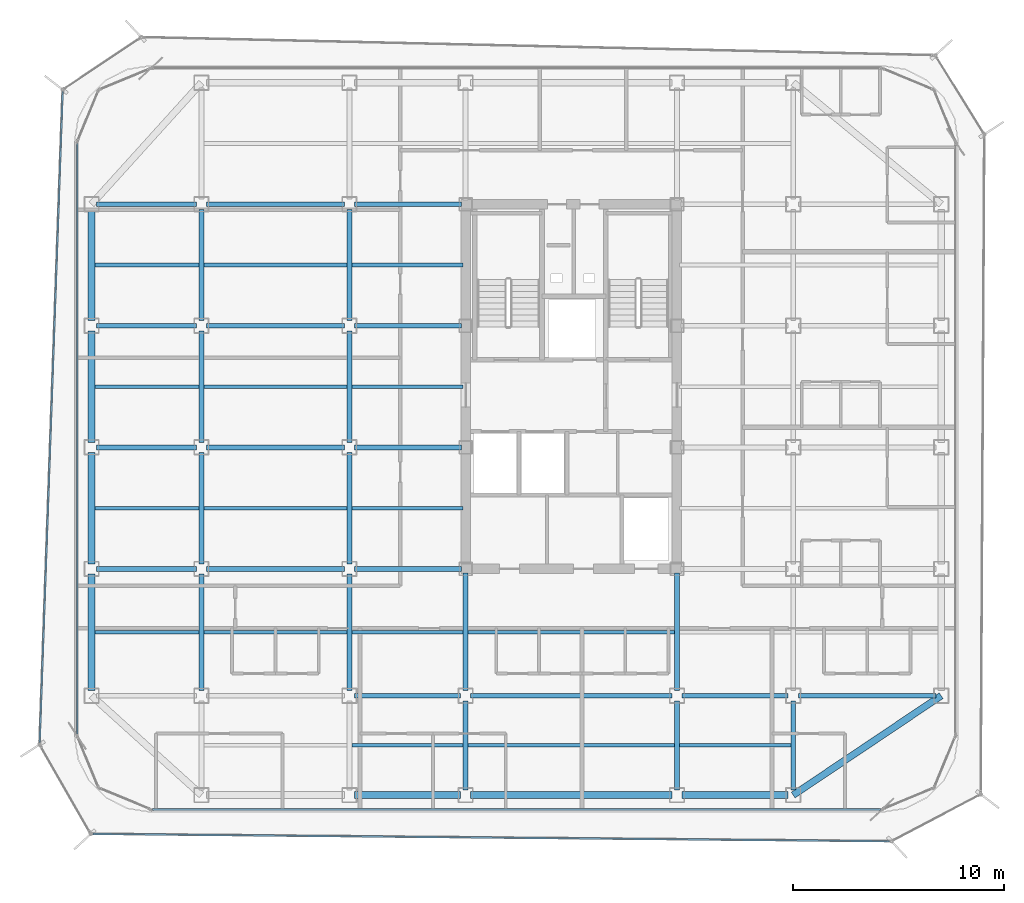
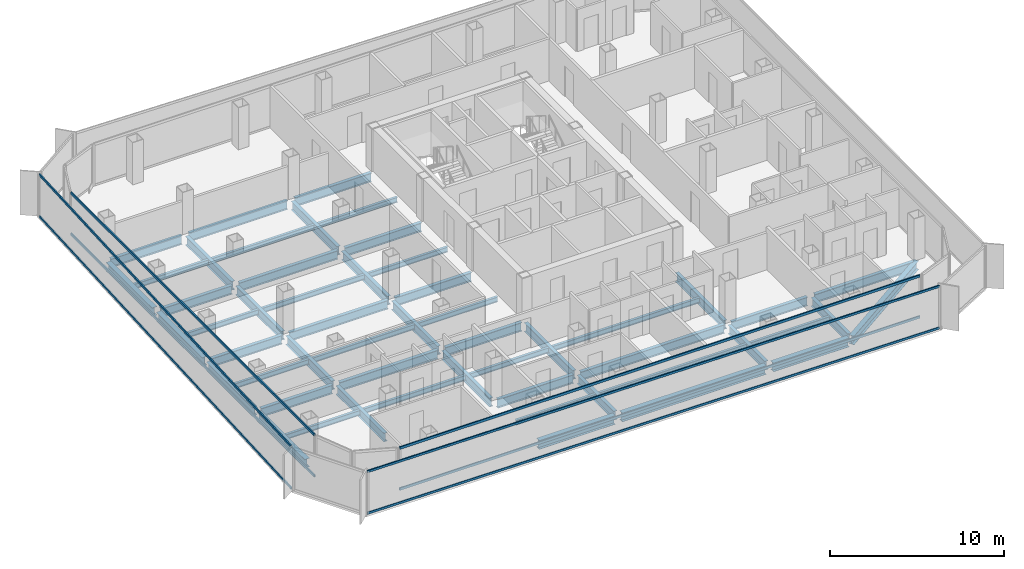
# One storey, part 3 of 16: 53 beams, 8 members, 4 elements without a shape of their own.
"""IFC4 building model written with IfcOpenShell, lengths in metres."""

from ifc_helpers import new_model, si_unit, direction, frame, origin, origin_2d, place, context, subcontext, project, spatial, hollow_rectangle, i_section, extrude, source, transform, mapped, material, layer, layer_set, material_profile, profile_set, type_object, element, aggregate, save


model = new_model("IFC4")

# Units and contexts
model_context = context("Model", 3, precision=1e-05, world=origin(), true_north=direction((0.0, 1.0)))
body_context = subcontext(model_context, "Body", "Model", "MODEL_VIEW")
ifc_project = project(units=[si_unit("LENGTHUNIT", "METRE"), si_unit("AREAUNIT", "SQUARE_METRE"), si_unit("VOLUMEUNIT", "CUBIC_METRE"), si_unit("PLANEANGLEUNIT", "RADIAN"), si_unit("MASSUNIT", "GRAM", prefix="KILO")], contexts=[model_context])

# Site, building, storey
site_placement = place(None, origin())
site = spatial("IfcSite", under=ifc_project, at=site_placement, CompositionType="ELEMENT")
building_placement = place(site_placement, origin())
building = spatial("IfcBuilding", under=site, at=building_placement, Name="Kolveth Station Tower", CompositionType="ELEMENT")
storey_placement = place(building_placement, frame((0.0, 0.0, 178.5)))
storey = spatial("IfcBuildingStorey", under=building, at=storey_placement, Name="L50", CompositionType="ELEMENT", Elevation=178.5)

# Beams
ifc_material_1 = material(Name="Steel S355", Category="steel")
ifc_material_profile_1 = material_profile(ifc_material_1, i_section(OverallWidth=0.323974609375, OverallDepth=0.611083984375, WebThickness=0.0126953125, FlangeThickness=0.01904296875, at=origin_2d()), Name="W610x155")
ifc_profile_set_1 = profile_set([ifc_material_profile_1], Name="Steel S355")
beam_type_1 = type_object("IfcBeamType", Name="Beam_SP2", PredefinedType="SPANDREL", material=ifc_profile_set_1)
shared_shape_1 = source(origin(), body_context, "Body", "SweptSolid", [
    extrude(i_section(OverallWidth=0.323974609375, OverallDepth=0.611083984375, WebThickness=0.0126953125, FlangeThickness=0.01904296875, at=origin_2d()), origin(), (0.0, 0.0, 1.0), 5.02001953125),
])
for number, where, z_axis, x_axis, name in (
    (1, (13.239990234375, 0.800048828125, -0.555419921875), (1.0, 0.0, 0.0), (0.0, 1.0, 0.0), "L50 Perimeter Spandrel BM-L50-PS-2"),
    (2, (28.739990234375, 0.800048828125, -0.555419921875), (1.0, 0.0, 0.0), (0.0, 1.0, 0.0), "L50 Perimeter Spandrel BM-L50-PS-4"),
):
    element("IfcBeam", number, at=place(storey_placement, frame(where, z_axis=z_axis, x_axis=x_axis)), inside=storey, type_object=beam_type_1, Name=name, PredefinedType="SPANDREL", context=body_context, shape_type="MappedRepresentation", body=[
        mapped(shared_shape_1, transform((0.0, 0.0, 0.0), x_axis=(1.0, 0.0, 0.0), y_axis=(0.0, 1.0, 0.0), z_axis=(0.0, 0.0, 1.0), scale=1.0)),
    ])
shared_shape_2 = source(origin(), body_context, "Body", "SweptSolid", [
    extrude(i_section(OverallWidth=0.323974609375, OverallDepth=0.611083984375, WebThickness=0.0126953125, FlangeThickness=0.01904296875, at=origin_2d()), origin(), (0.0, 0.0, 1.0), 9.52001953125),
])
beam_1_placement = place(storey_placement, frame((18.739990234375, 0.800048828125, -0.555419921875), z_axis=(1.0, 0.0, 0.0), x_axis=(0.0, 1.0, 0.0)))
element("IfcBeam", 3, at=beam_1_placement, inside=storey, type_object=beam_type_1, Name="L50 Perimeter Spandrel BM-L50-PS-3", PredefinedType="SPANDREL", context=body_context, shape_type="MappedRepresentation", body=[
    mapped(shared_shape_2, transform((0.0, 0.0, 0.0), x_axis=(1.0, 0.0, 0.0), y_axis=(0.0, 1.0, 0.0), z_axis=(0.0, 0.0, 1.0), scale=1.0)),
])
shared_shape_3 = source(origin(), body_context, "Body", "SweptSolid", [
    extrude(i_section(OverallWidth=0.323974609375, OverallDepth=0.611083984375, WebThickness=0.0126953125, FlangeThickness=0.01904296875, at=origin_2d()), origin(), (0.0, 0.0, 1.0), 5.52001953125),
])
beam_2_placement = place(storey_placement, frame((0.800048828125, 5.739990234375, -0.555419921875), z_axis=(0.0, 1.0, 0.0), x_axis=(-1.0, 0.0, 0.0)))
element("IfcBeam", 4, at=beam_2_placement, inside=storey, type_object=beam_type_1, Name="L50 Perimeter Spandrel BM-L50-PW-1", PredefinedType="SPANDREL", context=body_context, shape_type="MappedRepresentation", body=[
    mapped(shared_shape_3, transform((0.0, 0.0, 0.0), x_axis=(1.0, 0.0, 0.0), y_axis=(0.0, 1.0, 0.0), z_axis=(0.0, 0.0, 1.0), scale=1.0)),
])
shared_shape_4 = source(origin(), body_context, "Body", "SweptSolid", [
    extrude(i_section(OverallWidth=0.323974609375, OverallDepth=0.611083984375, WebThickness=0.0126953125, FlangeThickness=0.01904296875, at=origin_2d()), origin(), (0.0, 0.0, 1.0), 5.27001953125),
])
for number, where, z_axis, x_axis, name in (
    (5, (0.800048828125, 11.739990234375, -0.555419921875), (0.0, 1.0, 0.0), (-1.0, 0.0, 0.0), "L50 Perimeter Spandrel BM-L50-PW-2"),
    (6, (0.800048828125, 17.489990234375, -0.555419921875), (0.0, 1.0, 0.0), (-1.0, 0.0, 0.0), "L50 Perimeter Spandrel BM-L50-PW-3"),
    (7, (0.800048828125, 23.239990234375, -0.555419921875), (0.0, 1.0, 0.0), (-1.0, 0.0, 0.0), "L50 Perimeter Spandrel BM-L50-PW-4"),
):
    element("IfcBeam", number, at=place(storey_placement, frame(where, z_axis=z_axis, x_axis=x_axis)), inside=storey, type_object=beam_type_1, Name=name, PredefinedType="SPANDREL", context=body_context, shape_type="MappedRepresentation", body=[
        mapped(shared_shape_4, transform((0.0, 0.0, 0.0), x_axis=(1.0, 0.0, 0.0), y_axis=(0.0, 1.0, 0.0), z_axis=(0.0, 0.0, 1.0), scale=1.0)),
    ])
shared_shape_5 = source(origin(), body_context, "Body", "SweptSolid", [
    extrude(i_section(OverallWidth=0.323974609375, OverallDepth=0.611083984375, WebThickness=0.0126953125, FlangeThickness=0.01904296875, at=origin_2d()), origin(), (0.0, 0.0, 1.0), 8.431396484375),
])
beam_3_placement = place(storey_placement, frame((34.0, 0.800048828125, -0.555419921875), z_axis=(0.830223811004, 0.557430196206, 0.0), x_axis=(-0.557430196206, 0.830223811004, 0.0)))
element("IfcBeam", 8, at=beam_3_placement, inside=storey, type_object=beam_type_1, Name="L50 Corner Edge Girder BM-L50-CNR-SE", PredefinedType="SPANDREL", context=body_context, shape_type="MappedRepresentation", body=[
    mapped(shared_shape_5, transform((0.0, 0.0, 0.0), x_axis=(1.0, 0.0, 0.0), y_axis=(0.0, 1.0, 0.0), z_axis=(0.0, 0.0, 1.0), scale=1.0)),
])
ifc_material_profile_2 = material_profile(ifc_material_1, i_section(OverallWidth=0.22900390625, OverallDepth=0.612060546875, WebThickness=0.011962890625, FlangeThickness=0.01953125, at=origin_2d()), Name="W610x125")
ifc_profile_set_2 = profile_set([ifc_material_profile_2], Name="Steel S355")
beam_type_2 = type_object("IfcBeamType", Name="Beam_B5", PredefinedType="BEAM", material=ifc_profile_set_2)
shared_shape_6 = source(origin(), body_context, "Body", "SweptSolid", [
    extrude(i_section(OverallWidth=0.22900390625, OverallDepth=0.612060546875, WebThickness=0.011962890625, FlangeThickness=0.01953125, at=origin_2d()), origin(), (0.0, 0.0, 1.0), 4.719970703125),
])
for number, where, z_axis, x_axis, name in (
    (9, (1.0400390625, 11.5, -0.555908203125), (1.0, 0.0, 0.0), (0.0, 1.0, 0.0), "L50 Primary Girder BM-L50-GY115-1"),
    (10, (1.0400390625, 17.25, -0.555908203125), (1.0, 0.0, 0.0), (0.0, 1.0, 0.0), "L50 Primary Girder BM-L50-GY172-1"),
    (11, (1.0400390625, 23.0, -0.555908203125), (1.0, 0.0, 0.0), (0.0, 1.0, 0.0), "L50 Primary Girder BM-L50-GY230-1"),
    (12, (1.0400390625, 28.75, -0.555908203125), (1.0, 0.0, 0.0), (0.0, 1.0, 0.0), "L50 Primary Girder BM-L50-GY287-1"),
):
    element("IfcBeam", number, at=place(storey_placement, frame(where, z_axis=z_axis, x_axis=x_axis)), inside=storey, type_object=beam_type_2, Name=name, PredefinedType="BEAM", context=body_context, shape_type="MappedRepresentation", body=[
        mapped(shared_shape_6, transform((0.0, 0.0, 0.0), x_axis=(1.0, 0.0, 0.0), y_axis=(0.0, 1.0, 0.0), z_axis=(0.0, 0.0, 1.0), scale=1.0)),
    ])
shared_shape_7 = source(origin(), body_context, "Body", "SweptSolid", [
    extrude(i_section(OverallWidth=0.22900390625, OverallDepth=0.612060546875, WebThickness=0.011962890625, FlangeThickness=0.01953125, at=origin_2d()), origin(), (0.0, 0.0, 1.0), 6.52001953125),
])
for number, where, z_axis, x_axis, name in (
    (13, (34.239990234375, 5.5, -0.555908203125), (1.0, 0.0, 0.0), (0.0, 1.0, 0.0), "L50 Primary Girder BM-L50-GY55-6"),
    (14, (6.239990234375, 11.5, -0.555908203125), (1.0, 0.0, 0.0), (0.0, 1.0, 0.0), "L50 Primary Girder BM-L50-GY115-2"),
    (15, (6.239990234375, 17.25, -0.555908203125), (1.0, 0.0, 0.0), (0.0, 1.0, 0.0), "L50 Primary Girder BM-L50-GY172-2"),
    (16, (6.239990234375, 23.0, -0.555908203125), (1.0, 0.0, 0.0), (0.0, 1.0, 0.0), "L50 Primary Girder BM-L50-GY230-2"),
    (17, (6.239990234375, 28.75, -0.555908203125), (1.0, 0.0, 0.0), (0.0, 1.0, 0.0), "L50 Primary Girder BM-L50-GY287-2"),
):
    element("IfcBeam", number, at=place(storey_placement, frame(where, z_axis=z_axis, x_axis=x_axis)), inside=storey, type_object=beam_type_2, Name=name, PredefinedType="BEAM", context=body_context, shape_type="MappedRepresentation", body=[
        mapped(shared_shape_7, transform((0.0, 0.0, 0.0), x_axis=(1.0, 0.0, 0.0), y_axis=(0.0, 1.0, 0.0), z_axis=(0.0, 0.0, 1.0), scale=1.0)),
    ])
shared_shape_8 = source(origin(), body_context, "Body", "SweptSolid", [
    extrude(i_section(OverallWidth=0.22900390625, OverallDepth=0.612060546875, WebThickness=0.011962890625, FlangeThickness=0.01953125, at=origin_2d()), origin(), (0.0, 0.0, 1.0), 5.02001953125),
])
for number, where, z_axis, x_axis, name in (
    (18, (13.239990234375, 5.5, -0.555908203125), (1.0, 0.0, 0.0), (0.0, 1.0, 0.0), "L50 Primary Girder BM-L50-GY55-3"),
    (19, (28.739990234375, 5.5, -0.555908203125), (1.0, 0.0, 0.0), (0.0, 1.0, 0.0), "L50 Primary Girder BM-L50-GY55-5"),
):
    element("IfcBeam", number, at=place(storey_placement, frame(where, z_axis=z_axis, x_axis=x_axis)), inside=storey, type_object=beam_type_2, Name=name, PredefinedType="BEAM", context=body_context, shape_type="MappedRepresentation", body=[
        mapped(shared_shape_8, transform((0.0, 0.0, 0.0), x_axis=(1.0, 0.0, 0.0), y_axis=(0.0, 1.0, 0.0), z_axis=(0.0, 0.0, 1.0), scale=1.0)),
    ])
shared_shape_9 = source(origin(), body_context, "Body", "SweptSolid", [
    extrude(i_section(OverallWidth=0.22900390625, OverallDepth=0.612060546875, WebThickness=0.011962890625, FlangeThickness=0.01953125, at=origin_2d()), origin(), (0.0, 0.0, 1.0), 9.52001953125),
])
beam_4_placement = place(storey_placement, frame((18.739990234375, 5.5, -0.555908203125), z_axis=(1.0, 0.0, 0.0), x_axis=(0.0, 1.0, 0.0)))
element("IfcBeam", 20, at=beam_4_placement, inside=storey, type_object=beam_type_2, Name="L50 Primary Girder BM-L50-GY55-4", PredefinedType="BEAM", context=body_context, shape_type="MappedRepresentation", body=[
    mapped(shared_shape_9, transform((0.0, 0.0, 0.0), x_axis=(1.0, 0.0, 0.0), y_axis=(0.0, 1.0, 0.0), z_axis=(0.0, 0.0, 1.0), scale=1.0)),
])
shared_shape_10 = source(origin(), body_context, "Body", "SweptSolid", [
    extrude(i_section(OverallWidth=0.22900390625, OverallDepth=0.612060546875, WebThickness=0.011962890625, FlangeThickness=0.01953125, at=origin_2d()), origin(), (0.0, 0.0, 1.0), 5.06005859375),
])
for number, where, z_axis, x_axis, name in (
    (21, (13.239990234375, 11.5, -0.555908203125), (1.0, 0.0, 0.0), (0.0, 1.0, 0.0), "L50 Primary Girder BM-L50-GY115-3"),
    (22, (13.239990234375, 17.25, -0.555908203125), (1.0, 0.0, 0.0), (0.0, 1.0, 0.0), "L50 Primary Girder BM-L50-GY172-3"),
    (23, (13.239990234375, 23.0, -0.555908203125), (1.0, 0.0, 0.0), (0.0, 1.0, 0.0), "L50 Primary Girder BM-L50-GY230-3"),
    (24, (13.239990234375, 28.75, -0.555908203125), (1.0, 0.0, 0.0), (0.0, 1.0, 0.0), "L50 Primary Girder BM-L50-GY287-3"),
):
    element("IfcBeam", number, at=place(storey_placement, frame(where, z_axis=z_axis, x_axis=x_axis)), inside=storey, type_object=beam_type_2, Name=name, PredefinedType="BEAM", context=body_context, shape_type="MappedRepresentation", body=[
        mapped(shared_shape_10, transform((0.0, 0.0, 0.0), x_axis=(1.0, 0.0, 0.0), y_axis=(0.0, 1.0, 0.0), z_axis=(0.0, 0.0, 1.0), scale=1.0)),
    ])
shared_shape_11 = source(origin(), body_context, "Body", "SweptSolid", [
    extrude(i_section(OverallWidth=0.22900390625, OverallDepth=0.612060546875, WebThickness=0.011962890625, FlangeThickness=0.01953125, at=origin_2d()), origin(), (0.0, 0.0, 1.0), 4.219970703125),
])
for number, where, z_axis, x_axis, name in (
    (25, (18.5, 1.0400390625, -0.555908203125), (0.0, 1.0, 0.0), (-1.0, 0.0, 0.0), "L50 Primary Girder BM-L50-GX185-1"),
    (26, (28.5, 1.0400390625, -0.555908203125), (0.0, 1.0, 0.0), (-1.0, 0.0, 0.0), "L50 Primary Girder BM-L50-GX285-1"),
    (27, (34.0, 1.0400390625, -0.555908203125), (0.0, 1.0, 0.0), (-1.0, 0.0, 0.0), "L50 Primary Girder BM-L50-GX340-1"),
):
    element("IfcBeam", number, at=place(storey_placement, frame(where, z_axis=z_axis, x_axis=x_axis)), inside=storey, type_object=beam_type_2, Name=name, PredefinedType="BEAM", context=body_context, shape_type="MappedRepresentation", body=[
        mapped(shared_shape_11, transform((0.0, 0.0, 0.0), x_axis=(1.0, 0.0, 0.0), y_axis=(0.0, 1.0, 0.0), z_axis=(0.0, 0.0, 1.0), scale=1.0)),
    ])
shared_shape_12 = source(origin(), body_context, "Body", "SweptSolid", [
    extrude(i_section(OverallWidth=0.22900390625, OverallDepth=0.612060546875, WebThickness=0.011962890625, FlangeThickness=0.01953125, at=origin_2d()), origin(), (0.0, 0.0, 1.0), 5.52001953125),
])
for number, where, z_axis, x_axis, name in (
    (28, (6.0, 5.739990234375, -0.555908203125), (0.0, 1.0, 0.0), (-1.0, 0.0, 0.0), "L50 Primary Girder BM-L50-GX60-2"),
    (29, (13.0, 5.739990234375, -0.555908203125), (0.0, 1.0, 0.0), (-1.0, 0.0, 0.0), "L50 Primary Girder BM-L50-GX130-2"),
):
    element("IfcBeam", number, at=place(storey_placement, frame(where, z_axis=z_axis, x_axis=x_axis)), inside=storey, type_object=beam_type_2, Name=name, PredefinedType="BEAM", context=body_context, shape_type="MappedRepresentation", body=[
        mapped(shared_shape_12, transform((0.0, 0.0, 0.0), x_axis=(1.0, 0.0, 0.0), y_axis=(0.0, 1.0, 0.0), z_axis=(0.0, 0.0, 1.0), scale=1.0)),
    ])
shared_shape_13 = source(origin(), body_context, "Body", "SweptSolid", [
    extrude(i_section(OverallWidth=0.22900390625, OverallDepth=0.612060546875, WebThickness=0.011962890625, FlangeThickness=0.01953125, at=origin_2d()), origin(), (0.0, 0.0, 1.0), 5.27001953125),
])
for number, where, z_axis, x_axis, name in (
    (30, (6.0, 11.739990234375, -0.555908203125), (0.0, 1.0, 0.0), (-1.0, 0.0, 0.0), "L50 Primary Girder BM-L50-GX60-3"),
    (31, (6.0, 17.489990234375, -0.555908203125), (0.0, 1.0, 0.0), (-1.0, 0.0, 0.0), "L50 Primary Girder BM-L50-GX60-4"),
    (32, (6.0, 23.239990234375, -0.555908203125), (0.0, 1.0, 0.0), (-1.0, 0.0, 0.0), "L50 Primary Girder BM-L50-GX60-5"),
    (33, (13.0, 11.739990234375, -0.555908203125), (0.0, 1.0, 0.0), (-1.0, 0.0, 0.0), "L50 Primary Girder BM-L50-GX130-3"),
    (34, (13.0, 17.489990234375, -0.555908203125), (0.0, 1.0, 0.0), (-1.0, 0.0, 0.0), "L50 Primary Girder BM-L50-GX130-4"),
    (35, (13.0, 23.239990234375, -0.555908203125), (0.0, 1.0, 0.0), (-1.0, 0.0, 0.0), "L50 Primary Girder BM-L50-GX130-5"),
):
    element("IfcBeam", number, at=place(storey_placement, frame(where, z_axis=z_axis, x_axis=x_axis)), inside=storey, type_object=beam_type_2, Name=name, PredefinedType="BEAM", context=body_context, shape_type="MappedRepresentation", body=[
        mapped(shared_shape_13, transform((0.0, 0.0, 0.0), x_axis=(1.0, 0.0, 0.0), y_axis=(0.0, 1.0, 0.0), z_axis=(0.0, 0.0, 1.0), scale=1.0)),
    ])
shared_shape_14 = source(origin(), body_context, "Body", "SweptSolid", [
    extrude(i_section(OverallWidth=0.22900390625, OverallDepth=0.612060546875, WebThickness=0.011962890625, FlangeThickness=0.01953125, at=origin_2d()), origin(), (0.0, 0.0, 1.0), 5.56005859375),
])
for number, where, z_axis, x_axis, name in (
    (36, (18.5, 5.739990234375, -0.555908203125), (0.0, 1.0, 0.0), (-1.0, 0.0, 0.0), "L50 Primary Girder BM-L50-GX185-2"),
    (37, (28.5, 5.739990234375, -0.555908203125), (0.0, 1.0, 0.0), (-1.0, 0.0, 0.0), "L50 Primary Girder BM-L50-GX285-2"),
):
    element("IfcBeam", number, at=place(storey_placement, frame(where, z_axis=z_axis, x_axis=x_axis)), inside=storey, type_object=beam_type_2, Name=name, PredefinedType="BEAM", context=body_context, shape_type="MappedRepresentation", body=[
        mapped(shared_shape_14, transform((0.0, 0.0, 0.0), x_axis=(1.0, 0.0, 0.0), y_axis=(0.0, 1.0, 0.0), z_axis=(0.0, 0.0, 1.0), scale=1.0)),
    ])
ifc_material_profile_3 = material_profile(ifc_material_1, i_section(OverallWidth=0.1708984375, OverallDepth=0.35205078125, WebThickness=0.0068359375, FlangeThickness=0.009765625, at=origin_2d()), Name="W360x44")
ifc_profile_set_3 = profile_set([ifc_material_profile_3], Name="Steel S355")
beam_type_3 = type_object("IfcBeamType", Name="Beam_J2", PredefinedType="JOIST", material=ifc_profile_set_3)
shared_shape_15 = source(origin(), body_context, "Body", "SweptSolid", [
    extrude(i_section(OverallWidth=0.1708984375, OverallDepth=0.35205078125, WebThickness=0.0068359375, FlangeThickness=0.009765625, at=origin_2d()), origin(), (0.0, 0.0, 1.0), 4.927490234375),
])
for number, where, z_axis, x_axis, name in (
    (38, (0.9599609375, 8.5, -0.426025390625), (1.0, 0.0, 0.0), (0.0, 1.0, 0.0), "L50 Secondary Joist JST-L50-1-2"),
    (39, (0.9599609375, 14.375, -0.426025390625), (1.0, 0.0, 0.0), (0.0, 1.0, 0.0), "L50 Secondary Joist JST-L50-1-3"),
    (40, (0.9599609375, 20.125, -0.426025390625), (1.0, 0.0, 0.0), (0.0, 1.0, 0.0), "L50 Secondary Joist JST-L50-1-4"),
    (41, (0.9599609375, 25.875, -0.426025390625), (1.0, 0.0, 0.0), (0.0, 1.0, 0.0), "L50 Secondary Joist JST-L50-1-5"),
):
    element("IfcBeam", number, at=place(storey_placement, frame(where, z_axis=z_axis, x_axis=x_axis)), inside=storey, type_object=beam_type_3, Name=name, PredefinedType="JOIST", context=body_context, shape_type="MappedRepresentation", body=[
        mapped(shared_shape_15, transform((0.0, 0.0, 0.0), x_axis=(1.0, 0.0, 0.0), y_axis=(0.0, 1.0, 0.0), z_axis=(0.0, 0.0, 1.0), scale=1.0)),
    ])
shared_shape_16 = source(origin(), body_context, "Body", "SweptSolid", [
    extrude(i_section(OverallWidth=0.1708984375, OverallDepth=0.35205078125, WebThickness=0.0068359375, FlangeThickness=0.009765625, at=origin_2d()), origin(), (0.0, 0.0, 1.0), 6.77490234375),
])
for number, where, z_axis, x_axis, name in (
    (42, (6.112548828125, 8.5, -0.426025390625), (1.0, 0.0, 0.0), (0.0, 1.0, 0.0), "L50 Secondary Joist JST-L50-2-2"),
    (43, (6.112548828125, 14.375, -0.426025390625), (1.0, 0.0, 0.0), (0.0, 1.0, 0.0), "L50 Secondary Joist JST-L50-2-3"),
    (44, (6.112548828125, 20.125, -0.426025390625), (1.0, 0.0, 0.0), (0.0, 1.0, 0.0), "L50 Secondary Joist JST-L50-2-4"),
    (45, (6.112548828125, 25.875, -0.426025390625), (1.0, 0.0, 0.0), (0.0, 1.0, 0.0), "L50 Secondary Joist JST-L50-2-5"),
):
    element("IfcBeam", number, at=place(storey_placement, frame(where, z_axis=z_axis, x_axis=x_axis)), inside=storey, type_object=beam_type_3, Name=name, PredefinedType="JOIST", context=body_context, shape_type="MappedRepresentation", body=[
        mapped(shared_shape_16, transform((0.0, 0.0, 0.0), x_axis=(1.0, 0.0, 0.0), y_axis=(0.0, 1.0, 0.0), z_axis=(0.0, 0.0, 1.0), scale=1.0)),
    ])
shared_shape_17 = source(origin(), body_context, "Body", "SweptSolid", [
    extrude(i_section(OverallWidth=0.1708984375, OverallDepth=0.35205078125, WebThickness=0.0068359375, FlangeThickness=0.009765625, at=origin_2d()), origin(), (0.0, 0.0, 1.0), 5.27490234375),
])
for number, where, z_axis, x_axis, name in (
    (46, (13.112548828125, 3.14990234375, -0.426025390625), (1.0, 0.0, 0.0), (0.0, 1.0, 0.0), "L50 Secondary Joist JST-L50-3-1"),
    (47, (13.112548828125, 8.5, -0.426025390625), (1.0, 0.0, 0.0), (0.0, 1.0, 0.0), "L50 Secondary Joist JST-L50-3-2"),
    (48, (13.112548828125, 14.375, -0.426025390625), (1.0, 0.0, 0.0), (0.0, 1.0, 0.0), "L50 Secondary Joist JST-L50-3-3"),
    (49, (13.112548828125, 20.125, -0.426025390625), (1.0, 0.0, 0.0), (0.0, 1.0, 0.0), "L50 Secondary Joist JST-L50-3-4"),
    (50, (13.112548828125, 25.875, -0.426025390625), (1.0, 0.0, 0.0), (0.0, 1.0, 0.0), "L50 Secondary Joist JST-L50-3-5"),
    (51, (28.612548828125, 3.14990234375, -0.426025390625), (1.0, 0.0, 0.0), (0.0, 1.0, 0.0), "L50 Secondary Joist JST-L50-5-1"),
):
    element("IfcBeam", number, at=place(storey_placement, frame(where, z_axis=z_axis, x_axis=x_axis)), inside=storey, type_object=beam_type_3, Name=name, PredefinedType="JOIST", context=body_context, shape_type="MappedRepresentation", body=[
        mapped(shared_shape_17, transform((0.0, 0.0, 0.0), x_axis=(1.0, 0.0, 0.0), y_axis=(0.0, 1.0, 0.0), z_axis=(0.0, 0.0, 1.0), scale=1.0)),
    ])
shared_shape_18 = source(origin(), body_context, "Body", "SweptSolid", [
    extrude(i_section(OverallWidth=0.1708984375, OverallDepth=0.35205078125, WebThickness=0.0068359375, FlangeThickness=0.009765625, at=origin_2d()), origin(), (0.0, 0.0, 1.0), 9.77490234375),
])
for number, where, z_axis, x_axis, name in (
    (52, (18.612548828125, 3.14990234375, -0.426025390625), (1.0, 0.0, 0.0), (0.0, 1.0, 0.0), "L50 Secondary Joist JST-L50-4-1"),
    (53, (18.612548828125, 8.5, -0.426025390625), (1.0, 0.0, 0.0), (0.0, 1.0, 0.0), "L50 Secondary Joist JST-L50-4-2"),
):
    element("IfcBeam", number, at=place(storey_placement, frame(where, z_axis=z_axis, x_axis=x_axis)), inside=storey, type_object=beam_type_3, Name=name, PredefinedType="JOIST", context=body_context, shape_type="MappedRepresentation", body=[
        mapped(shared_shape_18, transform((0.0, 0.0, 0.0), x_axis=(1.0, 0.0, 0.0), y_axis=(0.0, 1.0, 0.0), z_axis=(0.0, 0.0, 1.0), scale=1.0)),
    ])

# Curtain wall, members
ifc_material_2 = material(Name="Aluminium 6063-T6 and low-E dark glass", Category="aluminium")
ifc_layer_1 = layer(ifc_material_2, 0.18994140625)
ifc_layer_set_1 = layer_set([ifc_layer_1], Name="Aluminium 6063-T6 and low-E dark glass")
curtain_wall_type_1 = type_object("IfcCurtainWallType", Name="CurtainWall_CW-Z2", PredefinedType="NOTDEFINED", material=ifc_layer_set_1)
curtain_wall_1_placement = place(storey_placement, origin())
curtain_wall_1 = element("IfcCurtainWall", 54, at=curtain_wall_1_placement, inside=storey, type_object=curtain_wall_type_1, Name="L50 Inner Thermal Curtain Wall 9", PredefinedType="NOTDEFINED")
ifc_material_3 = material(Name="Black anodized aluminium 6063-T6", Category="aluminium")
ifc_material_profile_4 = material_profile(ifc_material_3, hollow_rectangle(XDim=0.080078125, YDim=0.169921875, WallThickness=0.0048828125, at=origin_2d()), Name="ALU-80x170x5")
ifc_profile_set_4 = profile_set([ifc_material_profile_4], Name="Black anodized aluminium 6063-T6")
member_type_1 = type_object("IfcMemberType", Name="Transom_TR2", PredefinedType="USERDEFINED", material=ifc_profile_set_4)
shared_shape_19 = source(origin(), body_context, "Body", "SweptSolid", [
    extrude(hollow_rectangle(XDim=0.080078125, YDim=0.169921875, WallThickness=0.0048828125, at=origin_2d()), origin(), (0.0, 0.0, 1.0), 27.940185546875),
])
member_1_placement = place(storey_placement, frame((0.1201171875, 31.6201171875, 0.0400390625), z_axis=(0.0, -1.0, 0.0), x_axis=(1.0, 0.0, 0.0)))
member_1 = element("IfcMember", 55, at=member_1_placement, type_object=member_type_1, Name="CW-Z2 transom 1.1", ObjectType="TRANSOM", PredefinedType="USERDEFINED", context=body_context, shape_type="MappedRepresentation", body=[
    mapped(shared_shape_19, transform((0.0, 0.0, 0.0), x_axis=(1.0, 0.0, 0.0), y_axis=(0.0, 1.0, 0.0), z_axis=(0.0, 0.0, 1.0), scale=1.0)),
])
member_2_placement = place(storey_placement, frame((0.1201171875, 31.6201171875, 2.909912109375), z_axis=(0.0, -1.0, 0.0), x_axis=(1.0, 0.0, 0.0)))
member_2 = element("IfcMember", 56, at=member_2_placement, type_object=member_type_1, Name="CW-Z2 transom 1.2", ObjectType="TRANSOM", PredefinedType="USERDEFINED", context=body_context, shape_type="MappedRepresentation", body=[
    mapped(shared_shape_19, transform((0.0, 0.0, 0.0), x_axis=(1.0, 0.0, 0.0), y_axis=(0.0, 1.0, 0.0), z_axis=(0.0, 0.0, 1.0), scale=1.0)),
])
aggregate(curtain_wall_1, [member_1, member_2])

curtain_wall_2_placement = place(storey_placement, origin())
curtain_wall_2 = element("IfcCurtainWall", 57, at=curtain_wall_2_placement, inside=storey, type_object=curtain_wall_type_1, Name="L50 Inner Thermal Curtain Wall 12", PredefinedType="NOTDEFINED")
shared_shape_20 = source(origin(), body_context, "Body", "SweptSolid", [
    extrude(hollow_rectangle(XDim=0.080078125, YDim=0.169921875, WallThickness=0.0048828125, at=origin_2d()), origin(), (0.0, 0.0, 1.0), 34.440185546875),
])
member_3_placement = place(storey_placement, frame((3.679931640625, 0.1201171875, 0.0400390625), z_axis=(1.0, 0.0, 0.0), x_axis=(0.0, 1.0, 0.0)))
member_3 = element("IfcMember", 58, at=member_3_placement, type_object=member_type_1, Name="CW-Z2 transom 1.1", ObjectType="TRANSOM", PredefinedType="USERDEFINED", context=body_context, shape_type="MappedRepresentation", body=[
    mapped(shared_shape_20, transform((0.0, 0.0, 0.0), x_axis=(1.0, 0.0, 0.0), y_axis=(0.0, 1.0, 0.0), z_axis=(0.0, 0.0, 1.0), scale=1.0)),
])
member_4_placement = place(storey_placement, frame((3.679931640625, 0.1201171875, 2.909912109375), z_axis=(1.0, 0.0, 0.0), x_axis=(0.0, 1.0, 0.0)))
member_4 = element("IfcMember", 59, at=member_4_placement, type_object=member_type_1, Name="CW-Z2 transom 1.2", ObjectType="TRANSOM", PredefinedType="USERDEFINED", context=body_context, shape_type="MappedRepresentation", body=[
    mapped(shared_shape_20, transform((0.0, 0.0, 0.0), x_axis=(1.0, 0.0, 0.0), y_axis=(0.0, 1.0, 0.0), z_axis=(0.0, 0.0, 1.0), scale=1.0)),
])
aggregate(curtain_wall_2, [member_3, member_4])

ifc_material_4 = material(Name="Black anodized aluminium 6063-T6 and dark solar glass", Category="aluminium")
ifc_layer_2 = layer(ifc_material_4, 0.159912109375)
ifc_layer_set_2 = layer_set([ifc_layer_2], Name="Black anodized aluminium 6063-T6 and dark solar glass")
curtain_wall_type_2 = type_object("IfcCurtainWallType", Name="OUTER SKIN CW-OS", PredefinedType="NOTDEFINED", material=ifc_layer_set_2)
curtain_wall_3_placement = place(storey_placement, origin())
curtain_wall_3 = element("IfcCurtainWall", 60, at=curtain_wall_3_placement, inside=storey, type_object=curtain_wall_type_2, Name="L50 Outer Ventilated Skin Curtain Wall 6", PredefinedType="NOTDEFINED")
ifc_material_profile_5 = material_profile(ifc_material_3, hollow_rectangle(XDim=0.080078125, YDim=0.14990234375, WallThickness=0.0048828125, at=origin_2d()), Name="ALU-80x150x5")
ifc_profile_set_5 = profile_set([ifc_material_profile_5], Name="Black anodized aluminium 6063-T6")
member_type_2 = type_object("IfcMemberType", Name="Transom_TR-OS", PredefinedType="USERDEFINED", material=ifc_profile_set_5)
shared_shape_21 = source(origin(), body_context, "Body", "SweptSolid", [
    extrude(hollow_rectangle(XDim=0.080078125, YDim=0.14990234375, WallThickness=0.0048828125, at=origin_2d()), origin(), (0.0, 0.0, 1.0), 30.820556640625),
])
member_5_placement = place(storey_placement, frame((-0.562744140625, 34.080322265625, 0.0400390625), z_axis=(-0.035313481684, -0.999376284495, 0.0), x_axis=(0.999376284495, -0.035313481684, 0.0)))
member_5 = element("IfcMember", 61, at=member_5_placement, type_object=member_type_2, Name="CW-OS transom 1.1", ObjectType="TRANSOM", PredefinedType="USERDEFINED", context=body_context, shape_type="MappedRepresentation", body=[
    mapped(shared_shape_21, transform((0.0, 0.0, 0.0), x_axis=(1.0, 0.0, 0.0), y_axis=(0.0, 1.0, 0.0), z_axis=(0.0, 0.0, 1.0), scale=1.0)),
])
member_6_placement = place(storey_placement, frame((-0.562744140625, 34.080322265625, 2.949951171875), z_axis=(-0.035313481684, -0.999376284495, 0.0), x_axis=(0.999376284495, -0.035313481684, 0.0)))
member_6 = element("IfcMember", 62, at=member_6_placement, type_object=member_type_2, Name="CW-OS transom 1.2", ObjectType="TRANSOM", PredefinedType="USERDEFINED", context=body_context, shape_type="MappedRepresentation", body=[
    mapped(shared_shape_21, transform((0.0, 0.0, 0.0), x_axis=(1.0, 0.0, 0.0), y_axis=(0.0, 1.0, 0.0), z_axis=(0.0, 0.0, 1.0), scale=1.0)),
])
aggregate(curtain_wall_3, [member_5, member_6])

curtain_wall_4_placement = place(storey_placement, origin())
curtain_wall_4 = element("IfcCurtainWall", 63, at=curtain_wall_4_placement, inside=storey, type_object=curtain_wall_type_2, Name="L50 Outer Ventilated Skin Curtain Wall 8", PredefinedType="NOTDEFINED")
shared_shape_22 = source(origin(), body_context, "Body", "SweptSolid", [
    extrude(hollow_rectangle(XDim=0.080078125, YDim=0.14990234375, WallThickness=0.0048828125, at=origin_2d()), origin(), (0.0, 0.0, 1.0), 37.698974609375),
])
member_7_placement = place(storey_placement, frame((0.85888671875, -1.039794921875, 0.0400390625), z_axis=(0.999957656088, -0.009202501356, 0.0), x_axis=(0.009202501356, 0.999957656088, 0.0)))
member_7 = element("IfcMember", 64, at=member_7_placement, type_object=member_type_2, Name="CW-OS transom 1.1", ObjectType="TRANSOM", PredefinedType="USERDEFINED", context=body_context, shape_type="MappedRepresentation", body=[
    mapped(shared_shape_22, transform((0.0, 0.0, 0.0), x_axis=(1.0, 0.0, 0.0), y_axis=(0.0, 1.0, 0.0), z_axis=(0.0, 0.0, 1.0), scale=1.0)),
])
member_8_placement = place(storey_placement, frame((0.85888671875, -1.039794921875, 2.949951171875), z_axis=(0.999957656088, -0.009202501356, 0.0), x_axis=(0.009202501356, 0.999957656088, 0.0)))
member_8 = element("IfcMember", 65, at=member_8_placement, type_object=member_type_2, Name="CW-OS transom 1.2", ObjectType="TRANSOM", PredefinedType="USERDEFINED", context=body_context, shape_type="MappedRepresentation", body=[
    mapped(shared_shape_22, transform((0.0, 0.0, 0.0), x_axis=(1.0, 0.0, 0.0), y_axis=(0.0, 1.0, 0.0), z_axis=(0.0, 0.0, 1.0), scale=1.0)),
])
aggregate(curtain_wall_4, [member_7, member_8])

save(model, "model.ifc")
